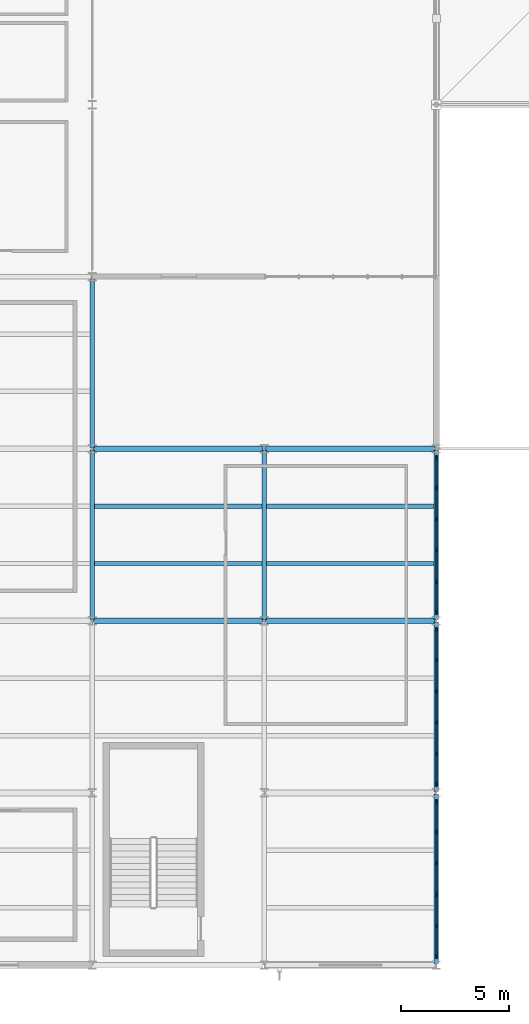
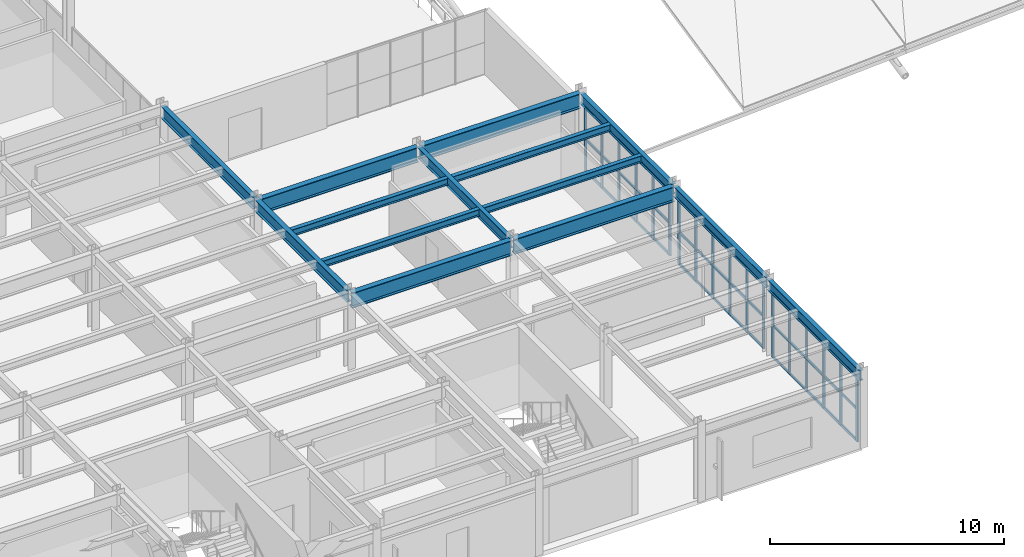
# One storey, part 5 of 67: 27 members, 14 beams, 3 elements without a shape of their own.
"""IFC4 building model written with IfcOpenShell, lengths in metres."""

import ifcopenshell
import ifcopenshell.guid

model = None  # the IFC model being written
_history = None  # IfcOwnerHistory: only IFC2X3 demands one
_inside = {}  # id of a spatial element -> (the spatial element, [elements in it])
_under = {}  # id of a project, library or spatial element -> (it, [spatial elements below it])
_declared = {}  # id of a project -> (the project, [libraries it declares])
_typed = {}  # id of a type object -> (the type object, [elements of that type])
_made_of = {}  # id of a material, layer set ... -> (it, [elements and type objects made of it])


def new_model(schema):
    """Start an empty IFC model of exactly this schema.

    Asked for "IFC4X3", IfcOpenShell would pick the latest addendum, in which some entities
    have other attributes; the version numbers below select the first issue.
    IFC2X3 requires an IfcOwnerHistory on every rooted entity: one is made here for all.
    """
    global model, _history
    if schema == "IFC4X3":
        model = ifcopenshell.file(schema_version=(4, 3, 0, 0))
    else:
        model = ifcopenshell.file(schema=schema)
    _inside.clear()
    _under.clear()
    _declared.clear()
    _typed.clear()
    _made_of.clear()
    _history = None
    if model.schema == "IFC2X3":
        org = make("IfcOrganization", Name="unknown")
        user = make(
            "IfcPersonAndOrganization",
            ThePerson=make("IfcPerson", FamilyName="unknown"),
            TheOrganization=org,
        )
        app = make(
            "IfcApplication",
            ApplicationDeveloper=org,
            Version="unknown",
            ApplicationFullName="unknown",
            ApplicationIdentifier="unknown",
        )
        _history = make(
            "IfcOwnerHistory",
            OwningUser=user,
            OwningApplication=app,
            ChangeAction="ADDED",
            CreationDate=0,
        )
    return model


def make(cls, **values):
    """One entity of the class cls with the attributes given. An attribute that is None is left unset."""
    return model.create_entity(
        cls, **{name: value for name, value in values.items() if value is not None}
    )


def rooted(cls, **values):
    """An entity with a GlobalId (a new one), such as an element, a storey or a relation."""
    return make(cls, GlobalId=ifcopenshell.guid.new(), OwnerHistory=_history, **values)


def si_unit(unit_type, name, prefix=None):
    """IfcSIUnit, for example si_unit("LENGTHUNIT", "METRE", prefix="MILLI")."""
    return make("IfcSIUnit", UnitType=unit_type, Prefix=prefix, Name=name)


def assignment(units):
    """IfcUnitAssignment: the units of a project."""
    return None if units is None else make("IfcUnitAssignment", Units=units)


def point(xyz):
    """IfcCartesianPoint."""
    return None if xyz is None else make("IfcCartesianPoint", Coordinates=xyz)


def direction(xyz):
    """IfcDirection."""
    return None if xyz is None else make("IfcDirection", DirectionRatios=xyz)


def frame(location, z_axis=None, x_axis=None):
    """IfcAxis2Placement3D, a coordinate frame: its origin and axes. An axis left out is left unset."""
    return make(
        "IfcAxis2Placement3D",
        Location=point(location),
        Axis=direction(z_axis),
        RefDirection=direction(x_axis),
    )


def frame_2d(location, x_axis=None):
    """IfcAxis2Placement2D, a coordinate frame in the plane: its origin and x axis."""
    return make(
        "IfcAxis2Placement2D", Location=point(location), RefDirection=direction(x_axis)
    )


def origin():
    """The frame at (0, 0, 0) with its axes left unset."""
    return frame((0.0, 0.0, 0.0))


def origin_2d():
    """The frame at (0, 0) in the plane with its x axis left unset."""
    return frame_2d((0.0, 0.0))


def place(relative_to, where):
    """IfcLocalPlacement: puts the frame where relative to a parent placement (None: the world)."""
    return make(
        "IfcLocalPlacement", PlacementRelTo=relative_to, RelativePlacement=where
    )


def context(
    kind, dimensions, precision=None, world=None, true_north=None, identifier=None
):
    """IfcGeometricRepresentationContext, for example the 3D "Model" context."""
    return make(
        "IfcGeometricRepresentationContext",
        ContextIdentifier=identifier,
        ContextType=kind,
        CoordinateSpaceDimension=dimensions,
        Precision=precision,
        WorldCoordinateSystem=world,
        TrueNorth=true_north,
    )


def subcontext(parent, identifier, kind, view, scale=None):
    """IfcGeometricRepresentationSubContext, for example "Body" below "Model"."""
    return make(
        "IfcGeometricRepresentationSubContext",
        ContextIdentifier=identifier,
        ContextType=kind,
        ParentContext=parent,
        TargetScale=scale,
        TargetView=view,
    )


def project(units=None, contexts=None):
    """IfcProject with its units and contexts."""
    return rooted(
        "IfcProject",
        Name="project",
        RepresentationContexts=contexts,
        UnitsInContext=assignment(units),
    )


def spatial(cls, under=None, at=None, **own):
    """A site, building, storey or space (cls), placed at a placement, below another one or the project."""
    s = rooted(cls, ObjectPlacement=at, **own)
    if under is not None:
        _under.setdefault(under.id(), (under, []))[1].append(s)
    return s


def profile(cls, at=None, kind="AREA", **sizes):
    """A parametric profile (cls). Its sizes go by their IFC names, for example OverallWidth=200.0."""
    return make(cls, ProfileType=kind, Position=at, **sizes)


def rectangle(**sizes):
    """IfcRectangleProfileDef."""
    return profile("IfcRectangleProfileDef", **sizes)


def i_section(**sizes):
    """IfcIShapeProfileDef."""
    return profile("IfcIShapeProfileDef", **sizes)


def extrude(swept, where, along, depth):
    """IfcExtrudedAreaSolid: the profile swept, set in the frame where, extruded along a direction by depth."""
    return make(
        "IfcExtrudedAreaSolid",
        SweptArea=swept,
        Position=where,
        ExtrudedDirection=direction(along),
        Depth=depth,
    )


def shape(context_of_items, identifier, shape_type, items):
    """IfcShapeRepresentation: the items that make up one representation, for example the "Body"."""
    return make(
        "IfcShapeRepresentation",
        ContextOfItems=context_of_items,
        RepresentationIdentifier=identifier,
        RepresentationType=shape_type,
        Items=items,
    )


def material(Name=None, Category=None):
    """IfcMaterial."""
    return make("IfcMaterial", Name=Name, Category=Category)


def material_profile(
    of_material, cross_section, Name=None, Category=None, Priority=None
):
    """IfcMaterialProfile: a cross section and its material."""
    return make(
        "IfcMaterialProfile",
        Name=Name,
        Material=of_material,
        Profile=cross_section,
        Priority=Priority,
        Category=Category,
    )


def profile_set(profiles, Name=None, composite=None):
    """IfcMaterialProfileSet."""
    return make(
        "IfcMaterialProfileSet",
        Name=Name,
        MaterialProfiles=profiles,
        CompositeProfile=composite,
    )


def made_of(thing, what):
    """Note that an element or type object is made of a material, layer set ...; save() writes the relation."""
    if what is not None:
        _made_of.setdefault(what.id(), (what, []))[1].append(thing)
    return thing


def type_object(cls, material=None, **own):
    """A type object (cls), such as IfcWallType, which elements share."""
    return made_of(rooted(cls, **own), material)


def element(
    cls,
    number,
    at=None,
    inside=None,
    cuts=None,
    type_object=None,
    material=None,
    context=None,
    identifier="Body",
    shape_type=None,
    held_by="IfcProductDefinitionShape",
    body=None,
    shapes=None,
    **own,
):
    """One element of the class cls, such as IfcWall. Its Tag is "e" and its number.

    at: its placement. inside: the storey or other place that contains it. cuts: it is an
    opening in that element (IfcRelVoidsElement). A single representation is given by context,
    identifier, shape_type and body (its items); several are given by shapes. held_by: the class
    of the entity that holds the representations. save() writes the other relations.
    """
    e = rooted(cls, Tag="e%d" % number, ObjectPlacement=at, **own)
    if body is not None:
        shapes = [shape(context, identifier, shape_type, body)]
    if shapes is not None:
        e.Representation = make(held_by, Representations=shapes)
    if inside is not None:
        _inside.setdefault(inside.id(), (inside, []))[1].append(e)
    if cuts is not None:
        rooted(
            "IfcRelVoidsElement", RelatingBuildingElement=cuts, RelatedOpeningElement=e
        )
    if type_object is not None:
        _typed.setdefault(type_object.id(), (type_object, []))[1].append(e)
    return made_of(e, material)


def aggregate(whole, parts):
    """IfcRelAggregates: a whole, such as a stair, and the parts it consists of."""
    return rooted("IfcRelAggregates", RelatingObject=whole, RelatedObjects=parts)


def save(model, path):
    """Write the relations noted so far, then the file.

    IfcRelAggregates (storeys below a building ...), IfcRelContainedInSpatialStructure (elements
    in a storey), IfcRelDefinesByType, IfcRelAssociatesMaterial and IfcRelDeclares: one each for
    every whole, place, type object, material and project.
    """
    for whole, parts in _under.values():
        aggregate(whole, parts)
    for where, things in _inside.values():
        rooted(
            "IfcRelContainedInSpatialStructure",
            RelatedElements=things,
            RelatingStructure=where,
        )
    for kind, things in _typed.values():
        rooted("IfcRelDefinesByType", RelatedObjects=things, RelatingType=kind)
    for what, things in _made_of.values():
        rooted("IfcRelAssociatesMaterial", RelatedObjects=things, RelatingMaterial=what)
    for by, libraries in _declared.values():
        rooted("IfcRelDeclares", RelatingContext=by, RelatedDefinitions=libraries)
    model.write(path)


model = new_model("IFC4")

# Units and contexts
model_context = context("Model", 3, precision=1e-05, world=origin(), true_north=direction((0.0, 1.0)))
body_context = subcontext(model_context, "Body", "Model", "MODEL_VIEW")
ifc_project = project(units=[si_unit("LENGTHUNIT", "METRE"), si_unit("AREAUNIT", "SQUARE_METRE"), si_unit("VOLUMEUNIT", "CUBIC_METRE"), si_unit("PLANEANGLEUNIT", "RADIAN"), si_unit("MASSUNIT", "GRAM", prefix="KILO")], contexts=[model_context])

# Site, building, storey
site_placement = place(None, origin())
site = spatial("IfcSite", under=ifc_project, at=site_placement, CompositionType="ELEMENT")
building_placement = place(site_placement, origin())
building = spatial("IfcBuilding", under=site, at=building_placement, Name="Drelvath Fold Interchange", CompositionType="ELEMENT")
storey_placement = place(building_placement, frame((0.0, 0.0, 15.60009765625)))
storey = spatial("IfcBuildingStorey", under=building, at=storey_placement, Name="L03", CompositionType="ELEMENT", Elevation=15.60009765625)

# Beams
ifc_material_1 = material(Name="Steel ASTM A992 Grade 50", Category="steel")
ifc_material_profile_1 = material_profile(ifc_material_1, i_section(OverallWidth=0.205078125, OverallDepth=0.35400390625, WebThickness=0.009521484375, FlangeThickness=0.016845703125, at=origin_2d()), Name="W14X53")
ifc_profile_set_1 = profile_set([ifc_material_profile_1], Name="Steel ASTM A992 Grade 50")
beam_type_1 = type_object("IfcBeamType", Name="BM-W14X53", PredefinedType="JOIST", material=ifc_profile_set_1)
for number, where, z_axis, x_axis, name in (
    (1, (36.113037109375, 21.6669921875, 3.722900390625), (1.0, 0.0, 0.0), (0.0, 1.0, 0.0), "L03 Secondary floor joist BM-W14X53"),
    (2, (36.113037109375, 24.3330078125, 3.722900390625), (1.0, 0.0, 0.0), (0.0, 1.0, 0.0), "L03 Secondary floor joist BM-W14X53"),
):
    element("IfcBeam", number, at=place(storey_placement, frame(where, z_axis=z_axis, x_axis=x_axis)), inside=storey, type_object=beam_type_1, Name=name, PredefinedType="JOIST", context=body_context, shape_type="SweptSolid", body=[
        extrude(i_section(OverallWidth=0.205078125, OverallDepth=0.35400390625, WebThickness=0.009521484375, FlangeThickness=0.016845703125, at=origin_2d()), origin(), (0.0, 0.0, 1.0), 7.783935546875),
    ])
for number, where, z_axis, x_axis, name in (
    (3, (44.10302734375, 21.6669921875, 3.722900390625), (1.0, 0.0, 0.0), (0.0, 1.0, 0.0), "L03 Secondary floor joist BM-W14X53"),
    (4, (44.10302734375, 24.3330078125, 3.722900390625), (1.0, 0.0, 0.0), (0.0, 1.0, 0.0), "L03 Secondary floor joist BM-W14X53"),
):
    element("IfcBeam", number, at=place(storey_placement, frame(where, z_axis=z_axis, x_axis=x_axis)), inside=storey, type_object=beam_type_1, Name=name, PredefinedType="JOIST", context=body_context, shape_type="SweptSolid", body=[
        extrude(i_section(OverallWidth=0.205078125, OverallDepth=0.35400390625, WebThickness=0.009521484375, FlangeThickness=0.016845703125, at=origin_2d()), origin(), (0.0, 0.0, 1.0), 7.7939453125),
    ])
ifc_material_profile_2 = material_profile(ifc_material_1, i_section(OverallWidth=0.2099609375, OverallDepth=0.537109375, WebThickness=0.010986328125, FlangeThickness=0.017333984375, at=origin_2d()), Name="W21X68")
ifc_profile_set_2 = profile_set([ifc_material_profile_2], Name="Steel ASTM A992 Grade 50")
beam_type_2 = type_object("IfcBeamType", Name="BM-W21X68", PredefinedType="SPANDREL", material=ifc_profile_set_2)
for number, where, z_axis, x_axis, name in (
    (5, (44.0, 19.06005859375, 3.6318359375), (0.0, 1.0, 0.0), (-1.0, 0.0, 0.0), "L03 Primary Y girder BM-W21X68"),
    (6, (52.0, 3.06005859375, 3.6318359375), (0.0, 1.0, 0.0), (-1.0, 0.0, 0.0), "L03 Primary Y girder BM-W21X68"),
    (7, (52.0, 11.06005859375, 3.6318359375), (0.0, 1.0, 0.0), (-1.0, 0.0, 0.0), "L03 Primary Y girder BM-W21X68"),
    (8, (52.0, 19.06005859375, 3.6318359375), (0.0, 1.0, 0.0), (-1.0, 0.0, 0.0), "L03 Primary Y girder BM-W21X68"),
):
    element("IfcBeam", number, at=place(storey_placement, frame(where, z_axis=z_axis, x_axis=x_axis)), inside=storey, type_object=beam_type_2, Name=name, PredefinedType="SPANDREL", context=body_context, shape_type="SweptSolid", body=[
        extrude(i_section(OverallWidth=0.2099609375, OverallDepth=0.537109375, WebThickness=0.010986328125, FlangeThickness=0.017333984375, at=origin_2d()), origin(), (0.0, 0.0, 1.0), 7.8798828125),
    ])
ifc_material_profile_3 = material_profile(ifc_material_1, i_section(OverallWidth=0.22998046875, OverallDepth=0.616943359375, WebThickness=0.01318359375, FlangeThickness=0.022216796875, at=origin_2d()), Name="W24X94")
ifc_profile_set_3 = profile_set([ifc_material_profile_3], Name="Steel ASTM A992 Grade 50")
beam_type_3 = type_object("IfcBeamType", Name="BM-W24X94", PredefinedType="BEAM", material=ifc_profile_set_3)
for number, where, z_axis, x_axis, name in (
    (9, (36.0, 19.06005859375, 3.6708984375), (0.0, 1.0, 0.0), (-1.0, 0.0, 0.0), "L03 Primary Y girder BM-W24X94"),
    (10, (36.0, 27.06005859375, 3.6708984375), (0.0, 1.0, 0.0), (-1.0, 0.0, 0.0), "L03 Primary Y girder BM-W24X94"),
):
    element("IfcBeam", number, at=place(storey_placement, frame(where, z_axis=z_axis, x_axis=x_axis)), inside=storey, type_object=beam_type_3, Name=name, PredefinedType="BEAM", context=body_context, shape_type="SweptSolid", body=[
        extrude(i_section(OverallWidth=0.22998046875, OverallDepth=0.616943359375, WebThickness=0.01318359375, FlangeThickness=0.022216796875, at=origin_2d()), origin(), (0.0, 0.0, 1.0), 7.8798828125),
    ])
ifc_material_profile_4 = material_profile(ifc_material_1, i_section(OverallWidth=0.26611328125, OverallDepth=0.779052734375, WebThickness=0.0166015625, FlangeThickness=0.030029296875, at=origin_2d()), Name="W30X148")
ifc_profile_set_4 = profile_set([ifc_material_profile_4], Name="Steel ASTM A992 Grade 50")
beam_type_4 = type_object("IfcBeamType", Name="BM-W30X148", PredefinedType="BEAM", material=ifc_profile_set_4)
for number, where, z_axis, x_axis, name in (
    (11, (36.06005859375, 19.0, 3.510009765625), (1.0, 0.0, 0.0), (0.0, 1.0, 0.0), "L03 Primary X girder BM-W30X148"),
    (12, (44.06005859375, 19.0, 3.510009765625), (1.0, 0.0, 0.0), (0.0, 1.0, 0.0), "L03 Primary X girder BM-W30X148"),
    (13, (36.06005859375, 27.0, 3.510009765625), (1.0, 0.0, 0.0), (0.0, 1.0, 0.0), "L03 Primary X girder BM-W30X148"),
    (14, (44.06005859375, 27.0, 3.510009765625), (1.0, 0.0, 0.0), (0.0, 1.0, 0.0), "L03 Primary X girder BM-W30X148"),
):
    element("IfcBeam", number, at=place(storey_placement, frame(where, z_axis=z_axis, x_axis=x_axis)), inside=storey, type_object=beam_type_4, Name=name, PredefinedType="BEAM", context=body_context, shape_type="SweptSolid", body=[
        extrude(i_section(OverallWidth=0.26611328125, OverallDepth=0.779052734375, WebThickness=0.0166015625, FlangeThickness=0.030029296875, at=origin_2d()), origin(), (0.0, 0.0, 1.0), 7.8798828125),
    ])

# Curtain wall, members
ifc_material_2 = material(Name="Anodized Aluminium 6063-T6", Category="aluminium")
curtain_wall_type = type_object("IfcCurtainWallType", Name="CW-OPS-UPP", PredefinedType="USERDEFINED", material=ifc_material_2)
curtain_wall_1_placement = place(storey_placement, origin())
curtain_wall_1 = element("IfcCurtainWall", 15, at=curtain_wall_1_placement, inside=storey, type_object=curtain_wall_type, Name="Curtain wall CW-V5-L03-E3", ObjectType="UNITISED CURTAIN WALL", PredefinedType="USERDEFINED")
ifc_material_profile_5 = material_profile(ifc_material_2, rectangle(XDim=0.06005859375, YDim=0.175048828125, at=origin_2d()), Name="AL-M 60x175")
ifc_profile_set_5 = profile_set([ifc_material_profile_5], Name="Anodized Aluminium 6063-T6")
member_type_1 = type_object("IfcMemberType", Name="ML-175", PredefinedType="MULLION", material=ifc_profile_set_5)
member_1_placement = place(storey_placement, frame((52.0, 3.39990234375, 0.0), z_axis=(0.0, 0.0, 1.0), x_axis=(1.0, 0.0, 0.0)))
member_1 = element("IfcMember", 16, at=member_1_placement, type_object=member_type_1, Name="CW-V5-L03-E3 mullion 0", PredefinedType="MULLION", context=body_context, shape_type="SweptSolid", body=[
    extrude(rectangle(XDim=0.06005859375, YDim=0.175048828125, at=origin_2d()), origin(), (0.0, 0.0, 1.0), 3.349853515625),
])
member_2_placement = place(storey_placement, frame((52.0, 4.81591796875, 0.0), z_axis=(0.0, 0.0, 1.0), x_axis=(1.0, 0.0, 0.0)))
member_2 = element("IfcMember", 17, at=member_2_placement, type_object=member_type_1, Name="CW-V5-L03-E3 mullion 1", PredefinedType="MULLION", context=body_context, shape_type="SweptSolid", body=[
    extrude(rectangle(XDim=0.06005859375, YDim=0.175048828125, at=origin_2d()), origin(), (0.0, 0.0, 1.0), 3.349853515625),
])
member_3_placement = place(storey_placement, frame((52.0, 6.27197265625, 0.0), z_axis=(0.0, 0.0, 1.0), x_axis=(1.0, 0.0, 0.0)))
member_3 = element("IfcMember", 18, at=member_3_placement, type_object=member_type_1, Name="CW-V5-L03-E3 mullion 2", PredefinedType="MULLION", context=body_context, shape_type="SweptSolid", body=[
    extrude(rectangle(XDim=0.06005859375, YDim=0.175048828125, at=origin_2d()), origin(), (0.0, 0.0, 1.0), 3.349853515625),
])
member_4_placement = place(storey_placement, frame((52.0, 7.72802734375, 0.0), z_axis=(0.0, 0.0, 1.0), x_axis=(1.0, 0.0, 0.0)))
member_4 = element("IfcMember", 19, at=member_4_placement, type_object=member_type_1, Name="CW-V5-L03-E3 mullion 3", PredefinedType="MULLION", context=body_context, shape_type="SweptSolid", body=[
    extrude(rectangle(XDim=0.06005859375, YDim=0.175048828125, at=origin_2d()), origin(), (0.0, 0.0, 1.0), 3.349853515625),
])
member_5_placement = place(storey_placement, frame((52.0, 9.18408203125, 0.0), z_axis=(0.0, 0.0, 1.0), x_axis=(1.0, 0.0, 0.0)))
member_5 = element("IfcMember", 20, at=member_5_placement, type_object=member_type_1, Name="CW-V5-L03-E3 mullion 4", PredefinedType="MULLION", context=body_context, shape_type="SweptSolid", body=[
    extrude(rectangle(XDim=0.06005859375, YDim=0.175048828125, at=origin_2d()), origin(), (0.0, 0.0, 1.0), 3.349853515625),
])
member_6_placement = place(storey_placement, frame((52.0, 10.60009765625, 0.0), z_axis=(0.0, 0.0, 1.0), x_axis=(1.0, 0.0, 0.0)))
member_6 = element("IfcMember", 21, at=member_6_placement, type_object=member_type_1, Name="CW-V5-L03-E3 mullion 5", PredefinedType="MULLION", context=body_context, shape_type="SweptSolid", body=[
    extrude(rectangle(XDim=0.06005859375, YDim=0.175048828125, at=origin_2d()), origin(), (0.0, 0.0, 1.0), 3.349853515625),
])

curtain_wall_2_placement = place(storey_placement, origin())
curtain_wall_2 = element("IfcCurtainWall", 22, at=curtain_wall_2_placement, inside=storey, type_object=curtain_wall_type, Name="Curtain wall CW-V5-L03-E11", ObjectType="UNITISED CURTAIN WALL", PredefinedType="USERDEFINED")
member_7_placement = place(storey_placement, frame((52.0, 11.39990234375, 0.0), z_axis=(0.0, 0.0, 1.0), x_axis=(1.0, 0.0, 0.0)))
member_7 = element("IfcMember", 23, at=member_7_placement, type_object=member_type_1, Name="CW-V5-L03-E11 mullion 0", PredefinedType="MULLION", context=body_context, shape_type="SweptSolid", body=[
    extrude(rectangle(XDim=0.06005859375, YDim=0.175048828125, at=origin_2d()), origin(), (0.0, 0.0, 1.0), 3.349853515625),
])
member_8_placement = place(storey_placement, frame((52.0, 12.81591796875, 0.0), z_axis=(0.0, 0.0, 1.0), x_axis=(1.0, 0.0, 0.0)))
member_8 = element("IfcMember", 24, at=member_8_placement, type_object=member_type_1, Name="CW-V5-L03-E11 mullion 1", PredefinedType="MULLION", context=body_context, shape_type="SweptSolid", body=[
    extrude(rectangle(XDim=0.06005859375, YDim=0.175048828125, at=origin_2d()), origin(), (0.0, 0.0, 1.0), 3.349853515625),
])
member_9_placement = place(storey_placement, frame((52.0, 14.27197265625, 0.0), z_axis=(0.0, 0.0, 1.0), x_axis=(1.0, 0.0, 0.0)))
member_9 = element("IfcMember", 25, at=member_9_placement, type_object=member_type_1, Name="CW-V5-L03-E11 mullion 2", PredefinedType="MULLION", context=body_context, shape_type="SweptSolid", body=[
    extrude(rectangle(XDim=0.06005859375, YDim=0.175048828125, at=origin_2d()), origin(), (0.0, 0.0, 1.0), 3.349853515625),
])
member_10_placement = place(storey_placement, frame((52.0, 15.72802734375, 0.0), z_axis=(0.0, 0.0, 1.0), x_axis=(1.0, 0.0, 0.0)))
member_10 = element("IfcMember", 26, at=member_10_placement, type_object=member_type_1, Name="CW-V5-L03-E11 mullion 3", PredefinedType="MULLION", context=body_context, shape_type="SweptSolid", body=[
    extrude(rectangle(XDim=0.06005859375, YDim=0.175048828125, at=origin_2d()), origin(), (0.0, 0.0, 1.0), 3.349853515625),
])
member_11_placement = place(storey_placement, frame((52.0, 17.18408203125, 0.0), z_axis=(0.0, 0.0, 1.0), x_axis=(1.0, 0.0, 0.0)))
member_11 = element("IfcMember", 27, at=member_11_placement, type_object=member_type_1, Name="CW-V5-L03-E11 mullion 4", PredefinedType="MULLION", context=body_context, shape_type="SweptSolid", body=[
    extrude(rectangle(XDim=0.06005859375, YDim=0.175048828125, at=origin_2d()), origin(), (0.0, 0.0, 1.0), 3.349853515625),
])
member_12_placement = place(storey_placement, frame((52.0, 18.60009765625, 0.0), z_axis=(0.0, 0.0, 1.0), x_axis=(1.0, 0.0, 0.0)))
member_12 = element("IfcMember", 28, at=member_12_placement, type_object=member_type_1, Name="CW-V5-L03-E11 mullion 5", PredefinedType="MULLION", context=body_context, shape_type="SweptSolid", body=[
    extrude(rectangle(XDim=0.06005859375, YDim=0.175048828125, at=origin_2d()), origin(), (0.0, 0.0, 1.0), 3.349853515625),
])

curtain_wall_3_placement = place(storey_placement, origin())
curtain_wall_3 = element("IfcCurtainWall", 29, at=curtain_wall_3_placement, inside=storey, type_object=curtain_wall_type, Name="Curtain wall CW-V5-L03-E19", ObjectType="UNITISED CURTAIN WALL", PredefinedType="USERDEFINED")
member_13_placement = place(storey_placement, frame((52.0, 19.39990234375, 0.0), z_axis=(0.0, 0.0, 1.0), x_axis=(1.0, 0.0, 0.0)))
member_13 = element("IfcMember", 30, at=member_13_placement, type_object=member_type_1, Name="CW-V5-L03-E19 mullion 0", PredefinedType="MULLION", context=body_context, shape_type="SweptSolid", body=[
    extrude(rectangle(XDim=0.06005859375, YDim=0.175048828125, at=origin_2d()), origin(), (0.0, 0.0, 1.0), 3.349853515625),
])
member_14_placement = place(storey_placement, frame((52.0, 20.81591796875, 0.0), z_axis=(0.0, 0.0, 1.0), x_axis=(1.0, 0.0, 0.0)))
member_14 = element("IfcMember", 31, at=member_14_placement, type_object=member_type_1, Name="CW-V5-L03-E19 mullion 1", PredefinedType="MULLION", context=body_context, shape_type="SweptSolid", body=[
    extrude(rectangle(XDim=0.06005859375, YDim=0.175048828125, at=origin_2d()), origin(), (0.0, 0.0, 1.0), 3.349853515625),
])
member_15_placement = place(storey_placement, frame((52.0, 22.27197265625, 0.0), z_axis=(0.0, 0.0, 1.0), x_axis=(1.0, 0.0, 0.0)))
member_15 = element("IfcMember", 32, at=member_15_placement, type_object=member_type_1, Name="CW-V5-L03-E19 mullion 2", PredefinedType="MULLION", context=body_context, shape_type="SweptSolid", body=[
    extrude(rectangle(XDim=0.06005859375, YDim=0.175048828125, at=origin_2d()), origin(), (0.0, 0.0, 1.0), 3.349853515625),
])
member_16_placement = place(storey_placement, frame((52.0, 23.72802734375, 0.0), z_axis=(0.0, 0.0, 1.0), x_axis=(1.0, 0.0, 0.0)))
member_16 = element("IfcMember", 33, at=member_16_placement, type_object=member_type_1, Name="CW-V5-L03-E19 mullion 3", PredefinedType="MULLION", context=body_context, shape_type="SweptSolid", body=[
    extrude(rectangle(XDim=0.06005859375, YDim=0.175048828125, at=origin_2d()), origin(), (0.0, 0.0, 1.0), 3.349853515625),
])
member_17_placement = place(storey_placement, frame((52.0, 25.18408203125, 0.0), z_axis=(0.0, 0.0, 1.0), x_axis=(1.0, 0.0, 0.0)))
member_17 = element("IfcMember", 34, at=member_17_placement, type_object=member_type_1, Name="CW-V5-L03-E19 mullion 4", PredefinedType="MULLION", context=body_context, shape_type="SweptSolid", body=[
    extrude(rectangle(XDim=0.06005859375, YDim=0.175048828125, at=origin_2d()), origin(), (0.0, 0.0, 1.0), 3.349853515625),
])
member_18_placement = place(storey_placement, frame((52.0, 26.60009765625, 0.0), z_axis=(0.0, 0.0, 1.0), x_axis=(1.0, 0.0, 0.0)))
member_18 = element("IfcMember", 35, at=member_18_placement, type_object=member_type_1, Name="CW-V5-L03-E19 mullion 5", PredefinedType="MULLION", context=body_context, shape_type="SweptSolid", body=[
    extrude(rectangle(XDim=0.06005859375, YDim=0.175048828125, at=origin_2d()), origin(), (0.0, 0.0, 1.0), 3.349853515625),
])

# Member
ifc_material_profile_6 = material_profile(ifc_material_2, rectangle(XDim=0.06005859375, YDim=0.139892578125, at=origin_2d()), Name="AL-T 60x140")
ifc_profile_set_6 = profile_set([ifc_material_profile_6], Name="Anodized Aluminium 6063-T6")
member_type_2 = type_object("IfcMemberType", Name="TR-140", PredefinedType="USERDEFINED", material=ifc_profile_set_6)
member_19_placement = place(storey_placement, frame((52.0, 3.39990234375, 0.02978515625), z_axis=(0.0, 1.0, 0.0), x_axis=(-1.0, 0.0, 0.0)))
member_19 = element("IfcMember", 36, at=member_19_placement, type_object=member_type_2, Name="CW-V5-L03-E3 transom 0", ObjectType="TRANSOM", PredefinedType="USERDEFINED", context=body_context, shape_type="SweptSolid", body=[
    extrude(rectangle(XDim=0.06005859375, YDim=0.139892578125, at=origin_2d()), origin(), (0.0, 0.0, 1.0), 7.2001953125),
])

member_20_placement = place(storey_placement, frame((52.0, 3.39990234375, 1.6748046875), z_axis=(0.0, 1.0, 0.0), x_axis=(-1.0, 0.0, 0.0)))
member_20 = element("IfcMember", 37, at=member_20_placement, type_object=member_type_2, Name="CW-V5-L03-E3 transom 1", ObjectType="TRANSOM", PredefinedType="USERDEFINED", context=body_context, shape_type="SweptSolid", body=[
    extrude(rectangle(XDim=0.06005859375, YDim=0.139892578125, at=origin_2d()), origin(), (0.0, 0.0, 1.0), 7.2001953125),
])

member_21_placement = place(storey_placement, frame((52.0, 3.39990234375, 3.31982421875), z_axis=(0.0, 1.0, 0.0), x_axis=(-1.0, 0.0, 0.0)))
member_21 = element("IfcMember", 38, at=member_21_placement, type_object=member_type_2, Name="CW-V5-L03-E3 transom 2", ObjectType="TRANSOM", PredefinedType="USERDEFINED", context=body_context, shape_type="SweptSolid", body=[
    extrude(rectangle(XDim=0.06005859375, YDim=0.139892578125, at=origin_2d()), origin(), (0.0, 0.0, 1.0), 7.2001953125),
])

aggregate(curtain_wall_1, [member_1, member_2, member_3, member_4, member_5, member_6, member_19, member_20, member_21])

member_22_placement = place(storey_placement, frame((52.0, 11.39990234375, 0.02978515625), z_axis=(0.0, 1.0, 0.0), x_axis=(-1.0, 0.0, 0.0)))
member_22 = element("IfcMember", 39, at=member_22_placement, type_object=member_type_2, Name="CW-V5-L03-E11 transom 0", ObjectType="TRANSOM", PredefinedType="USERDEFINED", context=body_context, shape_type="SweptSolid", body=[
    extrude(rectangle(XDim=0.06005859375, YDim=0.139892578125, at=origin_2d()), origin(), (0.0, 0.0, 1.0), 7.2001953125),
])

member_23_placement = place(storey_placement, frame((52.0, 11.39990234375, 1.6748046875), z_axis=(0.0, 1.0, 0.0), x_axis=(-1.0, 0.0, 0.0)))
member_23 = element("IfcMember", 40, at=member_23_placement, type_object=member_type_2, Name="CW-V5-L03-E11 transom 1", ObjectType="TRANSOM", PredefinedType="USERDEFINED", context=body_context, shape_type="SweptSolid", body=[
    extrude(rectangle(XDim=0.06005859375, YDim=0.139892578125, at=origin_2d()), origin(), (0.0, 0.0, 1.0), 7.2001953125),
])

member_24_placement = place(storey_placement, frame((52.0, 11.39990234375, 3.31982421875), z_axis=(0.0, 1.0, 0.0), x_axis=(-1.0, 0.0, 0.0)))
member_24 = element("IfcMember", 41, at=member_24_placement, type_object=member_type_2, Name="CW-V5-L03-E11 transom 2", ObjectType="TRANSOM", PredefinedType="USERDEFINED", context=body_context, shape_type="SweptSolid", body=[
    extrude(rectangle(XDim=0.06005859375, YDim=0.139892578125, at=origin_2d()), origin(), (0.0, 0.0, 1.0), 7.2001953125),
])

aggregate(curtain_wall_2, [member_7, member_8, member_9, member_10, member_11, member_12, member_22, member_23, member_24])

member_25_placement = place(storey_placement, frame((52.0, 19.39990234375, 0.02978515625), z_axis=(0.0, 1.0, 0.0), x_axis=(-1.0, 0.0, 0.0)))
member_25 = element("IfcMember", 42, at=member_25_placement, type_object=member_type_2, Name="CW-V5-L03-E19 transom 0", ObjectType="TRANSOM", PredefinedType="USERDEFINED", context=body_context, shape_type="SweptSolid", body=[
    extrude(rectangle(XDim=0.06005859375, YDim=0.139892578125, at=origin_2d()), origin(), (0.0, 0.0, 1.0), 7.2001953125),
])

member_26_placement = place(storey_placement, frame((52.0, 19.39990234375, 1.6748046875), z_axis=(0.0, 1.0, 0.0), x_axis=(-1.0, 0.0, 0.0)))
member_26 = element("IfcMember", 43, at=member_26_placement, type_object=member_type_2, Name="CW-V5-L03-E19 transom 1", ObjectType="TRANSOM", PredefinedType="USERDEFINED", context=body_context, shape_type="SweptSolid", body=[
    extrude(rectangle(XDim=0.06005859375, YDim=0.139892578125, at=origin_2d()), origin(), (0.0, 0.0, 1.0), 7.2001953125),
])

member_27_placement = place(storey_placement, frame((52.0, 19.39990234375, 3.31982421875), z_axis=(0.0, 1.0, 0.0), x_axis=(-1.0, 0.0, 0.0)))
member_27 = element("IfcMember", 44, at=member_27_placement, type_object=member_type_2, Name="CW-V5-L03-E19 transom 2", ObjectType="TRANSOM", PredefinedType="USERDEFINED", context=body_context, shape_type="SweptSolid", body=[
    extrude(rectangle(XDim=0.06005859375, YDim=0.139892578125, at=origin_2d()), origin(), (0.0, 0.0, 1.0), 7.2001953125),
])

aggregate(curtain_wall_3, [member_13, member_14, member_15, member_16, member_17, member_18, member_25, member_26, member_27])

save(model, "model.ifc")
